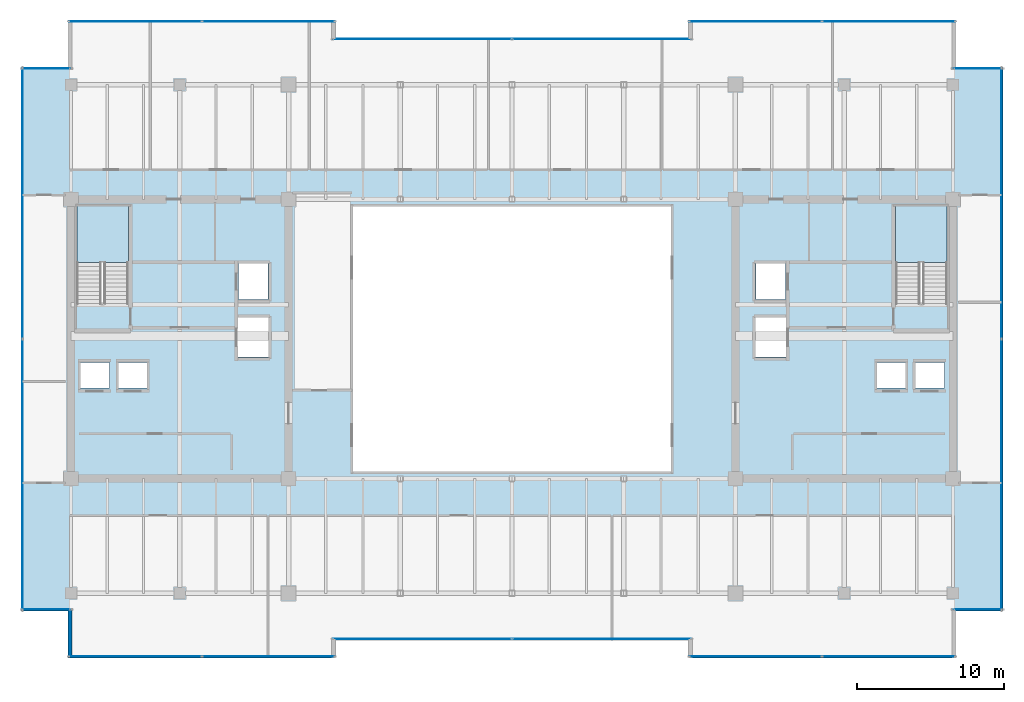
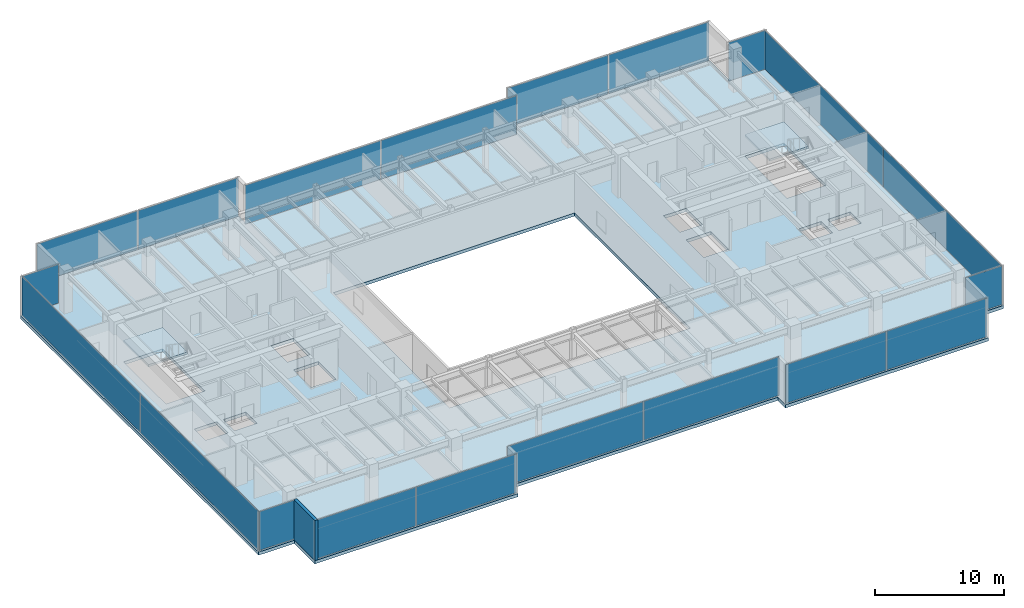
# One storey, part 27 of 35: 20 plates, 3 slabs, 1 wall, 14 elements without a shape of their own.
"""IFC4 building model written with IfcOpenShell, lengths in metres."""

from ifc_helpers import new_model, si_unit, direction, frame, frame_2d, origin, origin_2d, place, context, subcontext, project, spatial, polyline, rectangle, outline, extrude, source, transform, mapped, material, layer, layer_set, type_object, type_shapes, element, aggregate, save


model = new_model("IFC4")

# Units and contexts
model_context = context("Model", 3, precision=1e-05, world=origin(), true_north=direction((0.0, 1.0)))
body_context = subcontext(model_context, "Body", "Model", "MODEL_VIEW")
ifc_project = project(units=[si_unit("LENGTHUNIT", "METRE"), si_unit("AREAUNIT", "SQUARE_METRE"), si_unit("VOLUMEUNIT", "CUBIC_METRE"), si_unit("PLANEANGLEUNIT", "RADIAN"), si_unit("MASSUNIT", "GRAM", prefix="KILO")], contexts=[model_context])

# Site, building, storey
site_placement = place(None, origin())
site = spatial("IfcSite", under=ifc_project, at=site_placement, CompositionType="ELEMENT")
building_placement = place(site_placement, origin())
building = spatial("IfcBuilding", under=site, at=building_placement, Name="Haelvirn Gate Laboratories", CompositionType="ELEMENT")
storey_placement = place(building_placement, frame((0.0, 0.0, 234.199951171875)))
storey = spatial("IfcBuildingStorey", under=building, at=storey_placement, Name="L56", CompositionType="ELEMENT", Elevation=234.199951171875)

# Stair, slab
ifc_material_1 = material(Name="Concrete C40/50", Category="concrete")
stair_type = type_object("IfcStairType", Name="ST-DOG-1650-R22", PredefinedType="HALF_TURN_STAIR", material=ifc_material_1)
stair_1_placement = place(storey_placement, origin())
stair_1 = element("IfcStair", 1, at=stair_1_placement, inside=storey, type_object=stair_type, Name="L56 Escape Stair ST1", PredefinedType="HALF_TURN_STAIR")
ifc_layer_1 = layer(ifc_material_1, 0.199951171875, Name="SL-STAIR-LND")
ifc_layer_set_1 = layer_set([ifc_layer_1], Name="Concrete C40/50")
slab_type_1 = type_object("IfcSlabType", Name="SL-STAIR-LND", PredefinedType="LANDING", material=ifc_layer_set_1)
slab_1_placement = place(storey_placement, frame((0.0, 0.0, 1.85009765625)))
slab_1 = element("IfcSlab", 2, at=slab_1_placement, type_object=slab_type_1, Name="ST1 landing 1", PredefinedType="LANDING", context=body_context, shape_type="SweptSolid", body=[
    extrude(outline(polyline([(11.300048828125, 29.5), (11.300048828125, 33.35009765625), (7.800048828125, 33.35009765625), (7.800048828125, 29.5), (11.300048828125, 29.5)])), origin(), (0.0, 0.0, 1.0), 0.199951171875),
])
aggregate(stair_1, [slab_1])

stair_2_placement = place(storey_placement, origin())
stair_2 = element("IfcStair", 3, at=stair_2_placement, inside=storey, type_object=stair_type, Name="L56 Escape Stair ST2", PredefinedType="HALF_TURN_STAIR")
slab_2_placement = place(storey_placement, frame((0.0, 0.0, 1.85009765625)))
slab_2 = element("IfcSlab", 4, at=slab_2_placement, type_object=slab_type_1, Name="ST2 landing 1", PredefinedType="LANDING", context=body_context, shape_type="SweptSolid", body=[
    extrude(outline(polyline([(67.0, 29.5), (67.0, 33.35009765625), (63.5, 33.35009765625), (63.5, 29.5), (67.0, 29.5)])), origin(), (0.0, 0.0, 1.0), 0.199951171875),
])
aggregate(stair_2, [slab_2])

# Slab
ifc_layer_2 = layer(ifc_material_1, 0.300048828125, Name="SL-Z3-300")
ifc_layer_set_2 = layer_set([ifc_layer_2], Name="Concrete C40/50")
slab_type_2 = type_object("IfcSlabType", Name="SL-Z3-300", PredefinedType="FLOOR", material=ifc_layer_set_2)
slab_3_placement = place(storey_placement, frame((0.0, 0.0, -0.300048828125)))
element("IfcSlab", 5, at=slab_3_placement, inside=storey, type_object=slab_type_2, Name="L56 Structural Slab MAIN", PredefinedType="FLOOR", context=body_context, shape_type="SweptSolid", body=[
    extrude(outline(polyline([(7.199951171875, 2.60009765625), (25.39990234375, 2.60009765625), (25.39990234375, 3.800048828125), (49.39990234375, 3.800048828125), (49.39990234375, 2.60009765625), (67.60009765625, 2.60009765625), (67.60009765625, 5.800048828125), (70.800048828125, 5.800048828125), (70.800048828125, 42.800048828125), (67.60009765625, 42.800048828125), (67.60009765625, 46.0), (49.39990234375, 46.0), (49.39990234375, 44.800048828125), (25.39990234375, 44.800048828125), (25.39990234375, 46.0), (7.199951171875, 46.0), (7.199951171875, 42.800048828125), (4.0, 42.800048828125), (4.0, 5.800048828125), (7.199951171875, 5.800048828125), (7.199951171875, 2.60009765625)]), holes=[polyline([(26.60009765625, 15.300048828125), (48.199951171875, 15.300048828125), (48.199951171875, 33.300048828125), (26.60009765625, 33.300048828125), (26.60009765625, 15.300048828125)]), polyline([(11.300048828125, 26.780029296875), (11.300048828125, 33.35009765625), (7.800048828125, 33.35009765625), (7.800048828125, 26.780029296875), (11.300048828125, 26.780029296875)]), polyline([(67.0, 26.780029296875), (67.0, 33.35009765625), (63.5, 33.35009765625), (63.5, 26.780029296875), (67.0, 26.780029296875)]), polyline([(7.989990234375, 20.969970703125), (10.010009765625, 20.969970703125), (10.010009765625, 22.7099609375), (7.989990234375, 22.7099609375), (7.989990234375, 20.969970703125)]), polyline([(10.590087890625, 20.969970703125), (12.610107421875, 20.969970703125), (12.610107421875, 22.7099609375), (10.590087890625, 22.7099609375), (10.590087890625, 20.969970703125)]), polyline([(18.7900390625, 26.969970703125), (20.81005859375, 26.969970703125), (20.81005859375, 29.510009765625), (18.7900390625, 29.510009765625), (18.7900390625, 26.969970703125)]), polyline([(18.68994140625, 23.070068359375), (20.909912109375, 23.070068359375), (20.909912109375, 25.81005859375), (18.68994140625, 25.81005859375), (18.68994140625, 23.070068359375)]), polyline([(64.7900390625, 20.969970703125), (66.81005859375, 20.969970703125), (66.81005859375, 22.7099609375), (64.7900390625, 22.7099609375), (64.7900390625, 20.969970703125)]), polyline([(62.18994140625, 20.969970703125), (64.2099609375, 20.969970703125), (64.2099609375, 22.7099609375), (62.18994140625, 22.7099609375), (62.18994140625, 20.969970703125)]), polyline([(53.989990234375, 26.969970703125), (56.010009765625, 26.969970703125), (56.010009765625, 29.510009765625), (53.989990234375, 29.510009765625), (53.989990234375, 26.969970703125)]), polyline([(53.889892578125, 23.070068359375), (56.110107421875, 23.070068359375), (56.110107421875, 25.81005859375), (53.889892578125, 25.81005859375), (53.889892578125, 23.070068359375)])]), origin(), (0.0, 0.0, 1.0), 0.300048828125),
])

# Curtain wall, plates
ifc_material_2 = material(Name="Anodised bronze unitised aluminium & triple low-E glass", Category="aluminium")
ifc_layer_3 = layer(ifc_material_2, 0.176025390625, Name="CW-SYS-4")
ifc_layer_set_3 = layer_set([ifc_layer_3], Name="Anodised bronze unitised aluminium & triple low-E glass")
curtain_wall_type_1 = type_object("IfcCurtainWallType", Name="CW-SYS-4", PredefinedType="NOTDEFINED", material=ifc_layer_set_3)
curtain_wall_1_placement = place(storey_placement, origin())
curtain_wall_1 = element("IfcCurtainWall", 6, at=curtain_wall_1_placement, inside=storey, type_object=curtain_wall_type_1, Name="L56 Unitised Curtain Wall CW-L56-P0-E00-1", PredefinedType="NOTDEFINED")
ifc_material_3 = material(Name="Acoustic laminated bronze triple IGU 36 mm", Category="glass")
ifc_layer_4 = layer(ifc_material_3, 0.035888671875, Name="CWP-IGU-36")
ifc_layer_set_4 = layer_set([ifc_layer_4], Name="Acoustic laminated bronze triple IGU 36 mm")
plate_type_1 = type_object("IfcPlateType", Name="CWP-IGU-36", PredefinedType="CURTAIN_PANEL", material=ifc_layer_set_4)
shared_shape_1 = source(origin(), body_context, "Body", "SweptSolid", [
    extrude(rectangle(XDim=8.9951171875, YDim=0.035888671875, at=origin_2d()), origin(), (0.0, 0.0, 1.0), 3.669921875),
])
plate_1_placement = place(storey_placement, frame((11.767578125, 2.699951171875, 0.065185546875), z_axis=(0.0, 0.0, 1.0), x_axis=(1.0, 0.0, 0.0)))
plate_1 = element("IfcPlate", 7, at=plate_1_placement, type_object=plate_type_1, Name="CW4 panel 1.1", PredefinedType="CURTAIN_PANEL", context=body_context, shape_type="MappedRepresentation", body=[
    mapped(shared_shape_1, transform((0.0, 0.0, 0.0), scale=1.0)),
])
plate_2_placement = place(storey_placement, frame((20.83251953125, 2.699951171875, 0.065185546875), z_axis=(0.0, 0.0, 1.0), x_axis=(1.0, 0.0, 0.0)))
plate_2 = element("IfcPlate", 8, at=plate_2_placement, type_object=plate_type_1, Name="CW4 panel 2.1", PredefinedType="CURTAIN_PANEL", context=body_context, shape_type="MappedRepresentation", body=[
    mapped(shared_shape_1, transform((0.0, 0.0, 0.0), scale=1.0)),
])
aggregate(curtain_wall_1, [plate_1, plate_2])

curtain_wall_2_placement = place(storey_placement, origin())
curtain_wall_2 = element("IfcCurtainWall", 9, at=curtain_wall_2_placement, inside=storey, type_object=curtain_wall_type_1, Name="L56 Unitised Curtain Wall CW-L56-P0-E04-1", PredefinedType="NOTDEFINED")
plate_3_placement = place(storey_placement, frame((53.967529296875, 2.699951171875, 0.065185546875), z_axis=(0.0, 0.0, 1.0), x_axis=(1.0, 0.0, 0.0)))
plate_3 = element("IfcPlate", 10, at=plate_3_placement, type_object=plate_type_1, Name="CW4 panel 1.1", PredefinedType="CURTAIN_PANEL", context=body_context, shape_type="MappedRepresentation", body=[
    mapped(shared_shape_1, transform((0.0, 0.0, 0.0), scale=1.0)),
])
plate_4_placement = place(storey_placement, frame((63.032470703125, 2.699951171875, 0.065185546875), z_axis=(0.0, 0.0, 1.0), x_axis=(1.0, 0.0, 0.0)))
plate_4 = element("IfcPlate", 11, at=plate_4_placement, type_object=plate_type_1, Name="CW4 panel 2.1", PredefinedType="CURTAIN_PANEL", context=body_context, shape_type="MappedRepresentation", body=[
    mapped(shared_shape_1, transform((0.0, 0.0, 0.0), scale=1.0)),
])
aggregate(curtain_wall_2, [plate_3, plate_4])

curtain_wall_3_placement = place(storey_placement, origin())
curtain_wall_3 = element("IfcCurtainWall", 12, at=curtain_wall_3_placement, inside=storey, type_object=curtain_wall_type_1, Name="L56 Unitised Curtain Wall CW-L56-P0-E10-1", PredefinedType="NOTDEFINED")
plate_5_placement = place(storey_placement, frame((53.967529296875, 45.89990234375, 0.065185546875), z_axis=(0.0, 0.0, 1.0), x_axis=(1.0, 0.0, 0.0)))
plate_5 = element("IfcPlate", 13, at=plate_5_placement, type_object=plate_type_1, Name="CW4 panel 1.1", PredefinedType="CURTAIN_PANEL", context=body_context, shape_type="MappedRepresentation", body=[
    mapped(shared_shape_1, transform((0.0, 0.0, 0.0), scale=1.0)),
])
plate_6_placement = place(storey_placement, frame((63.032470703125, 45.89990234375, 0.065185546875), z_axis=(0.0, 0.0, 1.0), x_axis=(1.0, 0.0, 0.0)))
plate_6 = element("IfcPlate", 14, at=plate_6_placement, type_object=plate_type_1, Name="CW4 panel 2.1", PredefinedType="CURTAIN_PANEL", context=body_context, shape_type="MappedRepresentation", body=[
    mapped(shared_shape_1, transform((0.0, 0.0, 0.0), scale=1.0)),
])
aggregate(curtain_wall_3, [plate_5, plate_6])

curtain_wall_4_placement = place(storey_placement, origin())
curtain_wall_4 = element("IfcCurtainWall", 15, at=curtain_wall_4_placement, inside=storey, type_object=curtain_wall_type_1, Name="L56 Unitised Curtain Wall CW-L56-P0-E14-1", PredefinedType="NOTDEFINED")
plate_7_placement = place(storey_placement, frame((11.767578125, 45.89990234375, 0.065185546875), z_axis=(0.0, 0.0, 1.0), x_axis=(1.0, 0.0, 0.0)))
plate_7 = element("IfcPlate", 16, at=plate_7_placement, type_object=plate_type_1, Name="CW4 panel 1.1", PredefinedType="CURTAIN_PANEL", context=body_context, shape_type="MappedRepresentation", body=[
    mapped(shared_shape_1, transform((0.0, 0.0, 0.0), scale=1.0)),
])
plate_8_placement = place(storey_placement, frame((20.83251953125, 45.89990234375, 0.065185546875), z_axis=(0.0, 0.0, 1.0), x_axis=(1.0, 0.0, 0.0)))
plate_8 = element("IfcPlate", 17, at=plate_8_placement, type_object=plate_type_1, Name="CW4 panel 2.1", PredefinedType="CURTAIN_PANEL", context=body_context, shape_type="MappedRepresentation", body=[
    mapped(shared_shape_1, transform((0.0, 0.0, 0.0), scale=1.0)),
])
aggregate(curtain_wall_4, [plate_7, plate_8])

curtain_wall_5_placement = place(storey_placement, origin())
curtain_wall_5 = element("IfcCurtainWall", 18, at=curtain_wall_5_placement, inside=storey, type_object=curtain_wall_type_1, Name="L56 Unitised Curtain Wall CW-L56-P0-E02-1", PredefinedType="NOTDEFINED")
shared_shape_2 = source(origin(), body_context, "Body", "SweptSolid", [
    extrude(rectangle(XDim=12.135009765625, YDim=0.035888671875, at=origin_2d()), origin(), (0.0, 0.0, 1.0), 3.669921875),
])
plate_9_placement = place(storey_placement, frame((31.297607421875, 3.89990234375, 0.065185546875), z_axis=(0.0, 0.0, 1.0), x_axis=(1.0, 0.0, 0.0)))
plate_9 = element("IfcPlate", 19, at=plate_9_placement, type_object=plate_type_1, Name="CW4 panel 1.1", PredefinedType="CURTAIN_PANEL", context=body_context, shape_type="MappedRepresentation", body=[
    mapped(shared_shape_2, transform((0.0, 0.0, 0.0), scale=1.0)),
])
plate_10_placement = place(storey_placement, frame((43.50244140625, 3.89990234375, 0.065185546875), z_axis=(0.0, 0.0, 1.0), x_axis=(1.0, 0.0, 0.0)))
plate_10 = element("IfcPlate", 20, at=plate_10_placement, type_object=plate_type_1, Name="CW4 panel 2.1", PredefinedType="CURTAIN_PANEL", context=body_context, shape_type="MappedRepresentation", body=[
    mapped(shared_shape_2, transform((0.0, 0.0, 0.0), scale=1.0)),
])
aggregate(curtain_wall_5, [plate_9, plate_10])

curtain_wall_6_placement = place(storey_placement, origin())
curtain_wall_6 = element("IfcCurtainWall", 21, at=curtain_wall_6_placement, inside=storey, type_object=curtain_wall_type_1, Name="L56 Unitised Curtain Wall CW-L56-P0-E12-1", PredefinedType="NOTDEFINED")
plate_11_placement = place(storey_placement, frame((31.297607421875, 44.699951171875, 0.065185546875), z_axis=(0.0, 0.0, 1.0), x_axis=(1.0, 0.0, 0.0)))
plate_11 = element("IfcPlate", 22, at=plate_11_placement, type_object=plate_type_1, Name="CW4 panel 1.1", PredefinedType="CURTAIN_PANEL", context=body_context, shape_type="MappedRepresentation", body=[
    mapped(shared_shape_2, transform((0.0, 0.0, 0.0), scale=1.0)),
])
plate_12_placement = place(storey_placement, frame((43.50244140625, 44.699951171875, 0.065185546875), z_axis=(0.0, 0.0, 1.0), x_axis=(1.0, 0.0, 0.0)))
plate_12 = element("IfcPlate", 23, at=plate_12_placement, type_object=plate_type_1, Name="CW4 panel 2.1", PredefinedType="CURTAIN_PANEL", context=body_context, shape_type="MappedRepresentation", body=[
    mapped(shared_shape_2, transform((0.0, 0.0, 0.0), scale=1.0)),
])
aggregate(curtain_wall_6, [plate_11, plate_12])

# Curtain wall, plate
ifc_layer_5 = layer(ifc_material_2, 0.181884765625, Name="CW-SYS-5")
ifc_layer_set_5 = layer_set([ifc_layer_5], Name="Anodised bronze unitised aluminium & triple low-E glass")
curtain_wall_type_2 = type_object("IfcCurtainWallType", Name="CW-SYS-5", PredefinedType="NOTDEFINED", material=ifc_layer_set_5)
curtain_wall_7_placement = place(storey_placement, origin())
curtain_wall_7 = element("IfcCurtainWall", 24, at=curtain_wall_7_placement, inside=storey, type_object=curtain_wall_type_2, Name="L56 Unitised Curtain Wall CW-L56-P0-E06-1", PredefinedType="NOTDEFINED")
ifc_material_4 = material(Name="Clear low-iron notched-corner triple IGU 42 mm", Category="glass")
ifc_layer_6 = layer(ifc_material_4, 0.0419921875, Name="CWP-NTC-42")
ifc_layer_set_6 = layer_set([ifc_layer_6], Name="Clear low-iron notched-corner triple IGU 42 mm")
plate_type_2 = type_object("IfcPlateType", Name="CWP-NTC-42", PredefinedType="CURTAIN_PANEL", material=ifc_layer_set_6)
shared_shape_3 = source(origin(), body_context, "Body", "SweptSolid", [
    extrude(rectangle(XDim=3.280029296875, YDim=0.0419921875, at=origin_2d()), origin(), (0.0, 0.0, 1.0), 3.669921875),
])
type_shapes(plate_type_2, [shared_shape_3])
plate_13_placement = place(storey_placement, frame((69.080078125, 5.89990234375, 0.065185546875), z_axis=(0.0, 0.0, 1.0), x_axis=(1.0, 0.0, 0.0)))
plate_13 = element("IfcPlate", 25, at=plate_13_placement, type_object=plate_type_2, Name="CW5 panel 1.1", PredefinedType="CURTAIN_PANEL", context=body_context, shape_type="MappedRepresentation", body=[
    mapped(shared_shape_3, transform((0.0, 0.0, 0.0), scale=1.0)),
])
aggregate(curtain_wall_7, [plate_13])

curtain_wall_8_placement = place(storey_placement, origin())
curtain_wall_8 = element("IfcCurtainWall", 26, at=curtain_wall_8_placement, inside=storey, type_object=curtain_wall_type_2, Name="L56 Unitised Curtain Wall CW-L56-P0-E08-1", PredefinedType="NOTDEFINED")
plate_14_placement = place(storey_placement, frame((69.080078125, 42.699951171875, 0.065185546875), z_axis=(0.0, 0.0, 1.0), x_axis=(1.0, 0.0, 0.0)))
plate_14 = element("IfcPlate", 27, at=plate_14_placement, type_object=plate_type_2, Name="CW5 panel 1.1", PredefinedType="CURTAIN_PANEL", context=body_context, shape_type="MappedRepresentation", body=[
    mapped(shared_shape_3, transform((0.0, 0.0, 0.0), scale=1.0)),
])
aggregate(curtain_wall_8, [plate_14])

curtain_wall_9_placement = place(storey_placement, origin())
curtain_wall_9 = element("IfcCurtainWall", 28, at=curtain_wall_9_placement, inside=storey, type_object=curtain_wall_type_2, Name="L56 Unitised Curtain Wall CW-L56-P0-E16-1", PredefinedType="NOTDEFINED")
plate_15_placement = place(storey_placement, frame((5.719970703125, 42.699951171875, 0.065185546875), z_axis=(0.0, 0.0, 1.0), x_axis=(1.0, 0.0, 0.0)))
plate_15 = element("IfcPlate", 29, at=plate_15_placement, type_object=plate_type_2, Name="CW5 panel 1.1", PredefinedType="CURTAIN_PANEL", context=body_context, shape_type="MappedRepresentation", body=[
    mapped(shared_shape_3, transform((0.0, 0.0, 0.0), scale=1.0)),
])
aggregate(curtain_wall_9, [plate_15])

curtain_wall_10_placement = place(storey_placement, origin())
curtain_wall_10 = element("IfcCurtainWall", 30, at=curtain_wall_10_placement, inside=storey, type_object=curtain_wall_type_2, Name="L56 Unitised Curtain Wall CW-L56-P0-E18-1", PredefinedType="NOTDEFINED")
plate_16_placement = place(storey_placement, frame((5.719970703125, 5.89990234375, 0.065185546875), z_axis=(0.0, 0.0, 1.0), x_axis=(1.0, 0.0, 0.0)))
plate_16 = element("IfcPlate", 31, at=plate_16_placement, type_object=plate_type_2, Name="CW5 panel 1.1", PredefinedType="CURTAIN_PANEL", context=body_context, shape_type="MappedRepresentation", body=[
    mapped(shared_shape_3, transform((0.0, 0.0, 0.0), scale=1.0)),
])
aggregate(curtain_wall_10, [plate_16])

# Curtain wall, plates
curtain_wall_11_placement = place(storey_placement, origin())
curtain_wall_11 = element("IfcCurtainWall", 32, at=curtain_wall_11_placement, inside=storey, type_object=curtain_wall_type_1, Name="L56 Unitised Curtain Wall CW-L56-P0-E07", PredefinedType="NOTDEFINED")
shared_shape_4 = source(origin(), body_context, "Body", "SweptSolid", [
    extrude(rectangle(XDim=18.39501953125, YDim=0.035888671875, at=origin_2d()), origin(), (0.0, 0.0, 1.0), 3.669921875),
])
type_shapes(plate_type_1, [shared_shape_1, shared_shape_2, shared_shape_4])
plate_17_placement = place(storey_placement, frame((70.699951171875, 15.0673828125, 0.065185546875), z_axis=(0.0, 0.0, 1.0), x_axis=(0.0, 1.0, 0.0)))
plate_17 = element("IfcPlate", 33, at=plate_17_placement, type_object=plate_type_1, Name="CW4 panel 1.1", PredefinedType="CURTAIN_PANEL", context=body_context, shape_type="MappedRepresentation", body=[
    mapped(shared_shape_4, transform((0.0, 0.0, 0.0), scale=1.0)),
])
plate_18_placement = place(storey_placement, frame((70.699951171875, 33.532470703125, 0.065185546875), z_axis=(0.0, 0.0, 1.0), x_axis=(0.0, 1.0, 0.0)))
plate_18 = element("IfcPlate", 34, at=plate_18_placement, type_object=plate_type_1, Name="CW4 panel 2.1", PredefinedType="CURTAIN_PANEL", context=body_context, shape_type="MappedRepresentation", body=[
    mapped(shared_shape_4, transform((0.0, 0.0, 0.0), scale=1.0)),
])
aggregate(curtain_wall_11, [plate_17, plate_18])

curtain_wall_12_placement = place(storey_placement, origin())
curtain_wall_12 = element("IfcCurtainWall", 35, at=curtain_wall_12_placement, inside=storey, type_object=curtain_wall_type_1, Name="L56 Unitised Curtain Wall CW-L56-P0-E17", PredefinedType="NOTDEFINED")
plate_19_placement = place(storey_placement, frame((4.10009765625, 33.532470703125, 0.065185546875), z_axis=(0.0, 0.0, 1.0), x_axis=(0.0, -1.0, 0.0)))
plate_19 = element("IfcPlate", 36, at=plate_19_placement, type_object=plate_type_1, Name="CW4 panel 1.1", PredefinedType="CURTAIN_PANEL", context=body_context, shape_type="MappedRepresentation", body=[
    mapped(shared_shape_4, transform((0.0, 0.0, 0.0), scale=1.0)),
])
plate_20_placement = place(storey_placement, frame((4.10009765625, 15.0673828125, 0.065185546875), z_axis=(0.0, 0.0, 1.0), x_axis=(0.0, -1.0, 0.0)))
plate_20 = element("IfcPlate", 37, at=plate_20_placement, type_object=plate_type_1, Name="CW4 panel 2.1", PredefinedType="CURTAIN_PANEL", context=body_context, shape_type="MappedRepresentation", body=[
    mapped(shared_shape_4, transform((0.0, 0.0, 0.0), scale=1.0)),
])
aggregate(curtain_wall_12, [plate_19, plate_20])

# Wall
ifc_material_5 = material(Name="Thermally-broken bronze aluminium rainscreen & mineral wool", Category="aluminium")
ifc_layer_7 = layer(ifc_material_5, 0.280029296875, Name="EW-TERR-280")
ifc_layer_set_7 = layer_set([ifc_layer_7], Name="Thermally-broken bronze aluminium rainscreen & mineral wool")
wall_type = type_object("IfcWallType", Name="EW-TERR-280", PredefinedType="STANDARD", material=ifc_layer_set_7)
wall_placement = place(storey_placement, frame((7.340087890625, 5.887939453125, 0.0), z_axis=(0.0, 0.0, 1.0), x_axis=(0.0, -1.0, 0.0)))
element("IfcWall", 38, at=wall_placement, inside=storey, type_object=wall_type, Name="L56 Atrium Recess Bronze Return Wall 19", PredefinedType="STANDARD", context=body_context, shape_type="SweptSolid", body=[
    extrude(rectangle(XDim=3.287841796875, YDim=0.280029296875, at=frame_2d((1.64404296875, 0.0))), origin(), (0.0, 0.0, 1.0), 3.800048828125),
])

save(model, "model.ifc")
